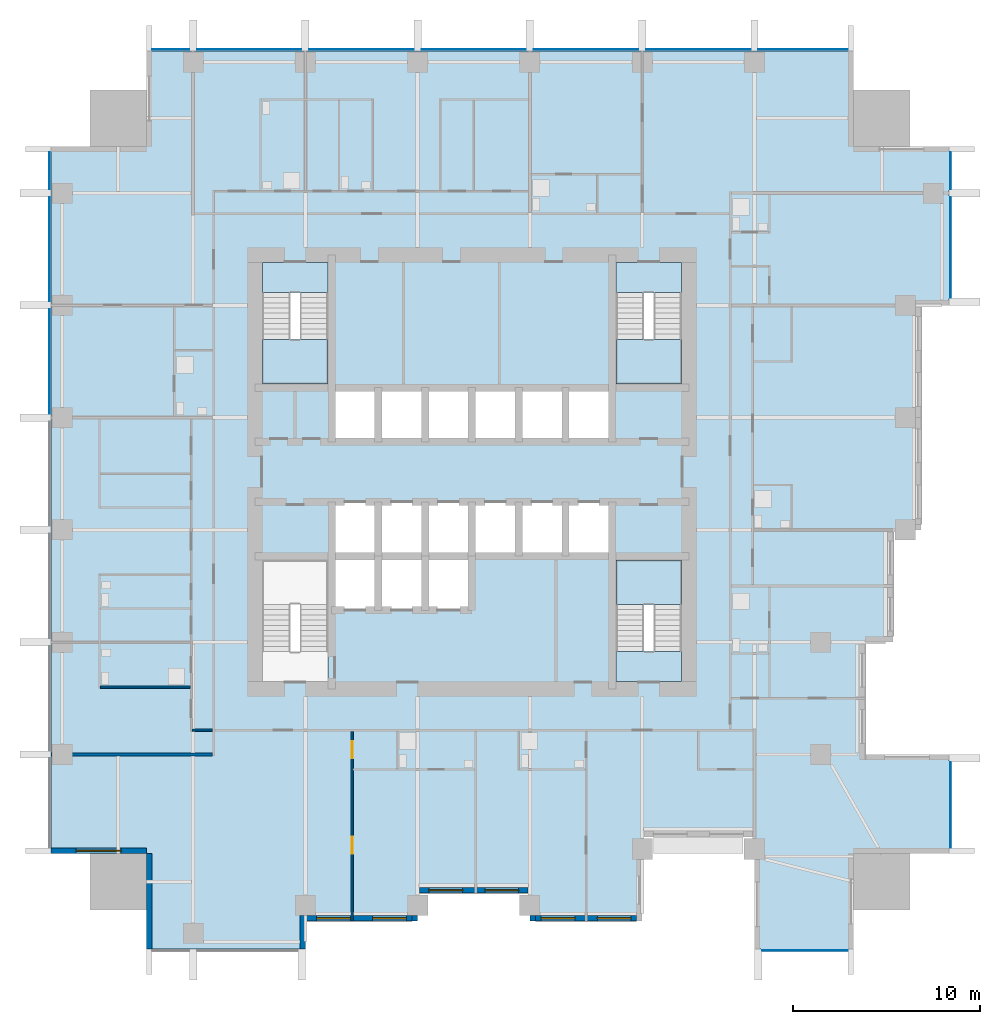
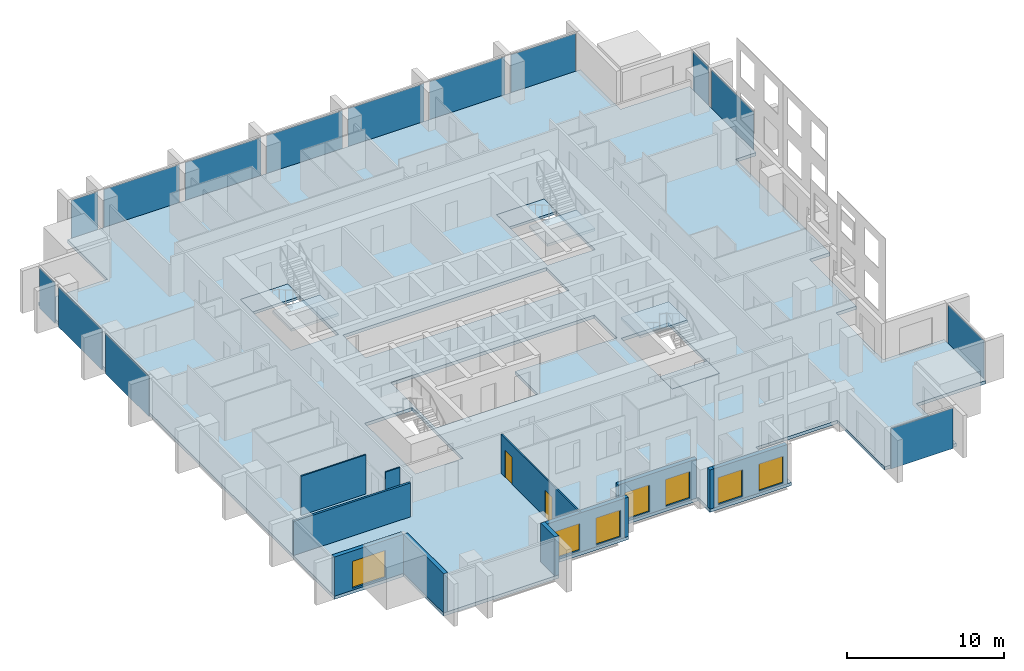
# One storey, part 3 of 11: 14 plates, 12 walls, 7 slabs, 7 windows, 2 doors, 9 openings, 8 elements without a shape of their own.
"""IFC4 building model written with IfcOpenShell, lengths in metres."""

from ifc_helpers import new_model, si_unit, direction, frame, frame_2d, origin, origin_2d, place, context, subcontext, project, spatial, polyline, rectangle, outline, extrude, material, layer, layer_set, type_object, element, fill, aggregate, save


model = new_model("IFC4")

# Units and contexts
model_context = context("Model", 3, precision=1e-05, world=origin(), true_north=direction((0.0, 1.0)))
body_context = subcontext(model_context, "Body", "Model", "MODEL_VIEW")
ifc_project = project(units=[si_unit("LENGTHUNIT", "METRE"), si_unit("AREAUNIT", "SQUARE_METRE"), si_unit("VOLUMEUNIT", "CUBIC_METRE"), si_unit("PLANEANGLEUNIT", "RADIAN"), si_unit("MASSUNIT", "GRAM", prefix="KILO")], contexts=[model_context])

# Site, building, storey
site_placement = place(None, origin())
site = spatial("IfcSite", under=ifc_project, at=site_placement, CompositionType="ELEMENT")
building_placement = place(site_placement, origin())
building = spatial("IfcBuilding", under=site, at=building_placement, Name="Amberfall Residences", CompositionType="ELEMENT")
storey_placement = place(building_placement, frame((0.0, 0.0, 115.0)))
storey = spatial("IfcBuildingStorey", under=building, at=storey_placement, Name="L31", CompositionType="ELEMENT", Elevation=115.0)

# Curtain wall, plate
ifc_material_1 = material(Name="Bronze anodised aluminium and glass", Category="aluminium")
curtain_wall_type = type_object("IfcCurtainWallType", Name="Curtain wall CW1 tower unit", PredefinedType="USERDEFINED", material=ifc_material_1)
curtain_wall_1_placement = place(storey_placement, origin())
curtain_wall_1 = element("IfcCurtainWall", 1, at=curtain_wall_1_placement, inside=storey, type_object=curtain_wall_type, Name="Curtain wall L31 S S11", ObjectType="UNITISED CURTAIN WALL", PredefinedType="USERDEFINED")
ifc_material_2 = material(Name="Tinted double glazed unit", Category="glass")
ifc_layer_1 = layer(ifc_material_2, 0.035888671875)
ifc_layer_set_1 = layer_set([ifc_layer_1], Name="CW1 panel 36 glazing")
plate_type = type_object("IfcPlateType", Name="CW1 panel 36 glazing", PredefinedType="CURTAIN_PANEL", material=ifc_layer_set_1)
plate_1_placement = place(storey_placement, frame((92.300048828125, 19.925048828125, -0.25), z_axis=(0.0, 0.0, 1.0), x_axis=(1.0, 0.0, 0.0)))
plate_1 = element("IfcPlate", 2, at=plate_1_placement, type_object=plate_type, Name="CW1 panel 1.1", PredefinedType="CURTAIN_PANEL", context=body_context, shape_type="SweptSolid", body=[
    extrude(rectangle(XDim=4.575927734375, YDim=0.035888671875, at=origin_2d()), origin(), (0.0, 0.0, 1.0), 3.14990234375),
])
aggregate(curtain_wall_1, [plate_1])

curtain_wall_2_placement = place(storey_placement, origin())
curtain_wall_2 = element("IfcCurtainWall", 3, at=curtain_wall_2_placement, inside=storey, type_object=curtain_wall_type, Name="Curtain wall L31 E E1", ObjectType="UNITISED CURTAIN WALL", PredefinedType="USERDEFINED")
plate_2_placement = place(storey_placement, frame((100.074951171875, 27.699951171875, -0.25), z_axis=(0.0, 0.0, 1.0), x_axis=(0.0, 1.0, 0.0)))
plate_2 = element("IfcPlate", 4, at=plate_2_placement, type_object=plate_type, Name="CW1 panel 1.1", PredefinedType="CURTAIN_PANEL", context=body_context, shape_type="SweptSolid", body=[
    extrude(rectangle(XDim=4.575927734375, YDim=0.035888671875, at=origin_2d()), origin(), (0.0, 0.0, 1.0), 3.14990234375),
])
aggregate(curtain_wall_2, [plate_2])

# Curtain wall, plates
curtain_wall_3_placement = place(storey_placement, origin())
curtain_wall_3 = element("IfcCurtainWall", 5, at=curtain_wall_3_placement, inside=storey, type_object=curtain_wall_type, Name="Curtain wall L31 E E10", ObjectType="UNITISED CURTAIN WALL", PredefinedType="USERDEFINED")
plate_3_placement = place(storey_placement, frame((100.074951171875, 57.5, -0.25), z_axis=(0.0, 0.0, 1.0), x_axis=(0.0, 1.0, 0.0)))
plate_3 = element("IfcPlate", 6, at=plate_3_placement, type_object=plate_type, Name="CW1 panel 1.1", PredefinedType="CURTAIN_PANEL", context=body_context, shape_type="SweptSolid", body=[
    extrude(rectangle(XDim=5.3759765625, YDim=0.035888671875, at=origin_2d()), origin(), (0.0, 0.0, 1.0), 3.14990234375),
])
plate_4_placement = place(storey_placement, frame((100.074951171875, 61.60009765625, -0.25), z_axis=(0.0, 0.0, 1.0), x_axis=(0.0, 1.0, 0.0)))
plate_4 = element("IfcPlate", 7, at=plate_4_placement, type_object=plate_type, Name="CW1 panel 2.1", PredefinedType="CURTAIN_PANEL", context=body_context, shape_type="SweptSolid", body=[
    extrude(rectangle(XDim=1.97607421875, YDim=0.035888671875, at=origin_2d()), origin(), (0.0, 0.0, 1.0), 3.14990234375),
])
aggregate(curtain_wall_3, [plate_3, plate_4])

curtain_wall_4_placement = place(storey_placement, origin())
curtain_wall_4 = element("IfcCurtainWall", 8, at=curtain_wall_4_placement, inside=storey, type_object=curtain_wall_type, Name="Curtain wall L31 N N1", ObjectType="UNITISED CURTAIN WALL", PredefinedType="USERDEFINED")
plate_5_placement = place(storey_placement, frame((92.199951171875, 68.074951171875, -0.25), z_axis=(0.0, 0.0, 1.0), x_axis=(-1.0, 0.0, 0.0)))
plate_5 = element("IfcPlate", 9, at=plate_5_placement, type_object=plate_type, Name="CW1 panel 1.1", PredefinedType="CURTAIN_PANEL", context=body_context, shape_type="SweptSolid", body=[
    extrude(rectangle(XDim=4.77587890625, YDim=0.035888671875, at=origin_2d()), origin(), (0.0, 0.0, 1.0), 3.14990234375),
])
plate_6_placement = place(storey_placement, frame((86.60009765625, 68.074951171875, -0.25), z_axis=(0.0, 0.0, 1.0), x_axis=(-1.0, 0.0, 0.0)))
plate_6 = element("IfcPlate", 10, at=plate_6_placement, type_object=plate_type, Name="CW1 panel 2.1", PredefinedType="CURTAIN_PANEL", context=body_context, shape_type="SweptSolid", body=[
    extrude(rectangle(XDim=5.575927734375, YDim=0.035888671875, at=origin_2d()), origin(), (0.0, 0.0, 1.0), 3.14990234375),
])
plate_7_placement = place(storey_placement, frame((80.60009765625, 68.074951171875, -0.25), z_axis=(0.0, 0.0, 1.0), x_axis=(-1.0, 0.0, 0.0)))
plate_7 = element("IfcPlate", 11, at=plate_7_placement, type_object=plate_type, Name="CW1 panel 3.1", PredefinedType="CURTAIN_PANEL", context=body_context, shape_type="SweptSolid", body=[
    extrude(rectangle(XDim=5.575927734375, YDim=0.035888671875, at=origin_2d()), origin(), (0.0, 0.0, 1.0), 3.14990234375),
])
plate_8_placement = place(storey_placement, frame((74.60009765625, 68.074951171875, -0.25), z_axis=(0.0, 0.0, 1.0), x_axis=(-1.0, 0.0, 0.0)))
plate_8 = element("IfcPlate", 12, at=plate_8_placement, type_object=plate_type, Name="CW1 panel 4.1", PredefinedType="CURTAIN_PANEL", context=body_context, shape_type="SweptSolid", body=[
    extrude(rectangle(XDim=5.575927734375, YDim=0.035888671875, at=origin_2d()), origin(), (0.0, 0.0, 1.0), 3.14990234375),
])
plate_9_placement = place(storey_placement, frame((68.60009765625, 68.074951171875, -0.25), z_axis=(0.0, 0.0, 1.0), x_axis=(-1.0, 0.0, 0.0)))
plate_9 = element("IfcPlate", 13, at=plate_9_placement, type_object=plate_type, Name="CW1 panel 5.1", PredefinedType="CURTAIN_PANEL", context=body_context, shape_type="SweptSolid", body=[
    extrude(rectangle(XDim=5.575927734375, YDim=0.035888671875, at=origin_2d()), origin(), (0.0, 0.0, 1.0), 3.14990234375),
])
plate_10_placement = place(storey_placement, frame((62.60009765625, 68.074951171875, -0.25), z_axis=(0.0, 0.0, 1.0), x_axis=(-1.0, 0.0, 0.0)))
plate_10 = element("IfcPlate", 14, at=plate_10_placement, type_object=plate_type, Name="CW1 panel 6.1", PredefinedType="CURTAIN_PANEL", context=body_context, shape_type="SweptSolid", body=[
    extrude(rectangle(XDim=5.575927734375, YDim=0.035888671875, at=origin_2d()), origin(), (0.0, 0.0, 1.0), 3.14990234375),
])
plate_11_placement = place(storey_placement, frame((58.39990234375, 68.074951171875, -0.25), z_axis=(0.0, 0.0, 1.0), x_axis=(-1.0, 0.0, 0.0)))
plate_11 = element("IfcPlate", 15, at=plate_11_placement, type_object=plate_type, Name="CW1 panel 7.1", PredefinedType="CURTAIN_PANEL", context=body_context, shape_type="SweptSolid", body=[
    extrude(rectangle(XDim=1.97607421875, YDim=0.035888671875, at=origin_2d()), origin(), (0.0, 0.0, 1.0), 3.14990234375),
])
aggregate(curtain_wall_4, [plate_5, plate_6, plate_7, plate_8, plate_9, plate_10, plate_11])

curtain_wall_5_placement = place(storey_placement, origin())
curtain_wall_5 = element("IfcCurtainWall", 16, at=curtain_wall_5_placement, inside=storey, type_object=curtain_wall_type, Name="Curtain wall L31 W W1", ObjectType="UNITISED CURTAIN WALL", PredefinedType="USERDEFINED")
plate_12_placement = place(storey_placement, frame((51.925048828125, 61.60009765625, -0.25), z_axis=(0.0, 0.0, 1.0), x_axis=(0.0, -1.0, 0.0)))
plate_12 = element("IfcPlate", 17, at=plate_12_placement, type_object=plate_type, Name="CW1 panel 1.1", PredefinedType="CURTAIN_PANEL", context=body_context, shape_type="SweptSolid", body=[
    extrude(rectangle(XDim=1.97607421875, YDim=0.035888671875, at=origin_2d()), origin(), (0.0, 0.0, 1.0), 3.14990234375),
])
plate_13_placement = place(storey_placement, frame((51.925048828125, 57.39990234375, -0.25), z_axis=(0.0, 0.0, 1.0), x_axis=(0.0, -1.0, 0.0)))
plate_13 = element("IfcPlate", 18, at=plate_13_placement, type_object=plate_type, Name="CW1 panel 2.1", PredefinedType="CURTAIN_PANEL", context=body_context, shape_type="SweptSolid", body=[
    extrude(rectangle(XDim=5.575927734375, YDim=0.035888671875, at=origin_2d()), origin(), (0.0, 0.0, 1.0), 3.14990234375),
])
plate_14_placement = place(storey_placement, frame((51.925048828125, 51.39990234375, -0.25), z_axis=(0.0, 0.0, 1.0), x_axis=(0.0, -1.0, 0.0)))
plate_14 = element("IfcPlate", 19, at=plate_14_placement, type_object=plate_type, Name="CW1 panel 3.1", PredefinedType="CURTAIN_PANEL", context=body_context, shape_type="SweptSolid", body=[
    extrude(rectangle(XDim=5.575927734375, YDim=0.035888671875, at=origin_2d()), origin(), (0.0, 0.0, 1.0), 3.14990234375),
])
aggregate(curtain_wall_5, [plate_12, plate_13, plate_14])

# Slab
ifc_material_3 = material(Name="Concrete C70", Category="concrete")
ifc_layer_2 = layer(ifc_material_3, 0.25)
ifc_layer_set_2 = layer_set([ifc_layer_2], Name="Floor slab 250 C70")
slab_type_1 = type_object("IfcSlabType", Name="Floor slab 250 C70", PredefinedType="FLOOR", material=ifc_layer_set_2)
slab_1_placement = place(storey_placement, frame((0.0, 0.0, -0.25)))
element("IfcSlab", 20, at=slab_1_placement, inside=storey, type_object=slab_type_1, Name="Floor slab S7 L31", PredefinedType="FLOOR", context=body_context, shape_type="SweptSolid", body=[
    extrude(outline(polyline([(89.60009765625, 20.0), (89.60009765625, 26.0), (83.60009765625, 26.0), (83.60009765625, 21.5), (77.60009765625, 21.5), (77.60009765625, 23.0), (71.60009765625, 23.0), (71.60009765625, 21.5), (65.60009765625, 21.5), (65.60009765625, 20.0), (57.10009765625, 20.0), (57.10009765625, 25.10009765625), (52.0, 25.10009765625), (52.0, 62.89990234375), (57.10009765625, 62.89990234375), (57.10009765625, 68.0), (94.89990234375, 68.0), (94.89990234375, 62.89990234375), (100.0, 62.89990234375), (100.0, 54.39990234375), (98.5, 54.39990234375), (98.5, 48.39990234375), (98.5, 42.39990234375), (97.0, 42.39990234375), (97.0, 36.39990234375), (95.5, 36.39990234375), (95.5, 30.39990234375), (100.0, 30.39990234375), (100.0, 25.10009765625), (94.89990234375, 25.10009765625), (94.89990234375, 20.0), (89.60009765625, 20.0)]), holes=[polyline([(85.699951171875, 34.300048828125), (85.699951171875, 40.800048828125), (82.199951171875, 40.800048828125), (82.199951171875, 34.300048828125), (85.699951171875, 34.300048828125)]), polyline([(82.199951171875, 50.199951171875), (85.699951171875, 50.199951171875), (85.699951171875, 56.699951171875), (82.199951171875, 56.699951171875), (82.199951171875, 50.199951171875)]), polyline([(69.5, 50.0), (67.0, 50.0), (67.0, 47.10009765625), (69.5, 47.10009765625), (72.0, 47.10009765625), (74.5, 47.10009765625), (77.0, 47.10009765625), (79.5, 47.10009765625), (82.0, 47.10009765625), (82.0, 50.0), (79.5, 50.0), (77.0, 50.0), (74.5, 50.0), (72.0, 50.0), (69.5, 50.0)]), polyline([(74.5, 41.0), (77.0, 41.0), (79.5, 41.0), (82.0, 41.0), (82.0, 43.89990234375), (79.5, 43.89990234375), (77.0, 43.89990234375), (74.5, 43.89990234375), (72.0, 43.89990234375), (69.5, 43.89990234375), (67.0, 43.89990234375), (67.0, 41.0), (67.0, 38.10009765625), (69.5, 38.10009765625), (72.0, 38.10009765625), (74.5, 38.10009765625), (74.5, 41.0)]), polyline([(66.800048828125, 34.300048828125), (66.800048828125, 40.800048828125), (63.300048828125, 40.800048828125), (63.300048828125, 34.300048828125), (66.800048828125, 34.300048828125)]), polyline([(66.800048828125, 50.199951171875), (66.800048828125, 56.699951171875), (63.300048828125, 56.699951171875), (63.300048828125, 50.199951171875), (66.800048828125, 50.199951171875)])]), origin(), (0.0, 0.0, 1.0), 0.25),
])

# Stair, slabs
ifc_material_4 = material(Name="Concrete C40", Category="concrete")
stair_type = type_object("IfcStairType", Name="Exit stair 20 risers 165.0 mm", PredefinedType="HALF_TURN_STAIR", material=ifc_material_4)
stair_1_placement = place(storey_placement, origin())
stair_1 = element("IfcStair", 21, at=stair_1_placement, inside=storey, type_object=stair_type, Name="L31 Exit stair 2", PredefinedType="HALF_TURN_STAIR")
ifc_layer_3 = layer(ifc_material_4, 0.199951171875)
ifc_layer_set_3 = layer_set([ifc_layer_3], Name="Stair landing 200")
slab_type_2 = type_object("IfcSlabType", Name="Stair landing 200", PredefinedType="LANDING", material=ifc_layer_set_3)
slab_2_placement = place(storey_placement, frame((0.0, 0.0, 1.449951171875)))
slab_2 = element("IfcSlab", 22, at=slab_2_placement, type_object=slab_type_2, Name="ST3 landing 1", PredefinedType="LANDING", context=body_context, shape_type="SweptSolid", body=[
    extrude(outline(polyline([(85.699951171875, 38.419921875), (85.699951171875, 40.800048828125), (82.199951171875, 40.800048828125), (82.199951171875, 38.419921875), (85.699951171875, 38.419921875)])), origin(), (0.0, 0.0, 1.0), 0.199951171875),
])
slab_3_placement = place(storey_placement, frame((0.0, 0.0, -0.199951171875)))
slab_3 = element("IfcSlab", 23, at=slab_3_placement, type_object=slab_type_2, Name="ST3 landing 2", PredefinedType="LANDING", context=body_context, shape_type="SweptSolid", body=[
    extrude(outline(polyline([(85.699951171875, 34.300048828125), (85.699951171875, 35.89990234375), (82.199951171875, 35.89990234375), (82.199951171875, 34.300048828125), (85.699951171875, 34.300048828125)])), origin(), (0.0, 0.0, 1.0), 0.199951171875),
])
aggregate(stair_1, [slab_2, slab_3])

stair_2_placement = place(storey_placement, origin())
stair_2 = element("IfcStair", 24, at=stair_2_placement, inside=storey, type_object=stair_type, Name="L31 Exit stair 3", PredefinedType="HALF_TURN_STAIR")
slab_4_placement = place(storey_placement, frame((0.0, 0.0, 1.449951171875)))
slab_4 = element("IfcSlab", 25, at=slab_4_placement, type_object=slab_type_2, Name="ST3 landing 1", PredefinedType="LANDING", context=body_context, shape_type="SweptSolid", body=[
    extrude(outline(polyline([(82.199951171875, 52.580078125), (82.199951171875, 50.199951171875), (85.699951171875, 50.199951171875), (85.699951171875, 52.580078125), (82.199951171875, 52.580078125)])), origin(), (0.0, 0.0, 1.0), 0.199951171875),
])
slab_5_placement = place(storey_placement, frame((0.0, 0.0, -0.199951171875)))
slab_5 = element("IfcSlab", 26, at=slab_5_placement, type_object=slab_type_2, Name="ST3 landing 2", PredefinedType="LANDING", context=body_context, shape_type="SweptSolid", body=[
    extrude(outline(polyline([(82.199951171875, 56.699951171875), (82.199951171875, 55.10009765625), (85.699951171875, 55.10009765625), (85.699951171875, 56.699951171875), (82.199951171875, 56.699951171875)])), origin(), (0.0, 0.0, 1.0), 0.199951171875),
])
aggregate(stair_2, [slab_4, slab_5])

stair_3_placement = place(storey_placement, origin())
stair_3 = element("IfcStair", 27, at=stair_3_placement, inside=storey, type_object=stair_type, Name="L31 Exit stair 4", PredefinedType="HALF_TURN_STAIR")
slab_6_placement = place(storey_placement, frame((0.0, 0.0, 1.449951171875)))
slab_6 = element("IfcSlab", 28, at=slab_6_placement, type_object=slab_type_2, Name="ST3 landing 1", PredefinedType="LANDING", context=body_context, shape_type="SweptSolid", body=[
    extrude(outline(polyline([(63.300048828125, 52.580078125), (63.300048828125, 50.199951171875), (66.800048828125, 50.199951171875), (66.800048828125, 52.580078125), (63.300048828125, 52.580078125)])), origin(), (0.0, 0.0, 1.0), 0.199951171875),
])
slab_7_placement = place(storey_placement, frame((0.0, 0.0, -0.199951171875)))
slab_7 = element("IfcSlab", 29, at=slab_7_placement, type_object=slab_type_2, Name="ST3 landing 2", PredefinedType="LANDING", context=body_context, shape_type="SweptSolid", body=[
    extrude(outline(polyline([(63.300048828125, 56.699951171875), (63.300048828125, 55.10009765625), (66.800048828125, 55.10009765625), (66.800048828125, 56.699951171875), (63.300048828125, 56.699951171875)])), origin(), (0.0, 0.0, 1.0), 0.199951171875),
])
aggregate(stair_3, [slab_6, slab_7])

# Walls
ifc_material_5 = material(Name="Pale stone cladding on insulated backing", Category="masonry")
ifc_layer_4 = layer(ifc_material_5, 0.300048828125)
ifc_layer_set_4 = layer_set([ifc_layer_4], Name="Bronze clad wall 300")
wall_type_1 = type_object("IfcWallType", Name="Bronze clad wall 300", PredefinedType="SOLIDWALL", material=ifc_layer_set_4)
wall_1_placement = place(storey_placement, frame((65.449951171875, 20.0, 0.0), z_axis=(0.0, 0.0, 1.0), x_axis=(0.0, 1.0, 0.0)))
element("IfcWall", 30, at=wall_1_placement, inside=storey, type_object=wall_type_1, Name="External wall L31 S", PredefinedType="SOLIDWALL", context=body_context, shape_type="SweptSolid", body=[
    extrude(rectangle(XDim=1.800048828125, YDim=0.300048828125, at=frame_2d((0.89990234375, 0.0))), origin(), (0.0, 0.0, 1.0), 3.050048828125),
])
for number, where, z_axis, x_axis, name in (
    (31, (71.449951171875, 21.5, 0.0), (0.0, 0.0, 1.0), (0.0, 1.0, 0.0), "External wall L31 S"),
    (32, (77.75, 21.800048828125, 0.0), (0.0, 0.0, 1.0), (0.0, -1.0, 0.0), "External wall L31 S"),
):
    element("IfcWall", number, at=place(storey_placement, frame(where, z_axis=z_axis, x_axis=x_axis)), inside=storey, type_object=wall_type_1, Name=name, PredefinedType="SOLIDWALL", context=body_context, shape_type="SweptSolid", body=[
        extrude(rectangle(XDim=0.300048828125, YDim=0.300048828125, at=frame_2d((0.14990234375, 0.0))), origin(), (0.0, 0.0, 1.0), 3.050048828125),
    ])

# Wall, opening, window
wall_2_placement = place(storey_placement, frame((52.0, 25.25, 0.0), z_axis=(0.0, 0.0, 1.0), x_axis=(1.0, 0.0, 0.0)))
wall_2 = element("IfcWall", 33, at=wall_2_placement, inside=storey, type_object=wall_type_1, Name="External wall L31 SW", PredefinedType="SOLIDWALL", context=body_context, shape_type="SweptSolid", body=[
    extrude(rectangle(XDim=5.10009765625, YDim=0.300048828125, at=frame_2d((2.550048828125, 0.0))), origin(), (0.0, 0.0, 1.0), 3.050048828125),
])
opening_1_placement = place(wall_2_placement, frame((1.35009765625, 0.0, 0.14990234375)))
opening_1 = element("IfcOpeningElement", 34, at=opening_1_placement, cuts=wall_2, Name="Opening WN5", PredefinedType="OPENING", context=body_context, shape_type="SweptSolid", body=[
    extrude(rectangle(XDim=2.39990234375, YDim=2.10009765625, at=frame_2d((1.199951171875, 1.050048828125))), frame((0.0, 0.159912109375, 0.0), z_axis=(0.0, -1.0, 0.0), x_axis=(1.0, 0.0, 0.0)), (0.0, 0.0, 1.0), 0.320068359375),
])
ifc_material_6 = material(Name="Bronze aluminium framed glazing", Category="aluminium")
window_type_1 = type_object("IfcWindowType", Name="Glazed opening 2400 x 2100 bronze", PartitioningType="DOUBLE_PANEL_VERTICAL", PredefinedType="WINDOW", material=ifc_material_6)
window_1_placement = place(opening_1_placement, origin())
window_1 = element("IfcWindow", 35, at=window_1_placement, inside=storey, type_object=window_type_1, Name="Window L31 SW", OverallHeight=2.10009765625, OverallWidth=2.39990234375, PartitioningType="DOUBLE_PANEL_VERTICAL", PredefinedType="WINDOW", context=body_context, shape_type="SweptSolid", body=[
    extrude(rectangle(XDim=2.39990234375, YDim=2.10009765625, at=frame_2d((1.199951171875, 1.050048828125))), frame((0.0, 0.030029296875, 0.0), z_axis=(0.0, -1.0, 0.0), x_axis=(1.0, 0.0, 0.0)), (0.0, 0.0, 1.0), 0.06005859375),
])
fill(opening_1, window_1)

# Wall
wall_3_placement = place(storey_placement, frame((57.25, 25.10009765625, 0.0), z_axis=(0.0, 0.0, 1.0), x_axis=(0.0, -1.0, 0.0)))
element("IfcWall", 36, at=wall_3_placement, inside=storey, type_object=wall_type_1, Name="External wall L31 SW", PredefinedType="SOLIDWALL", context=body_context, shape_type="SweptSolid", body=[
    extrude(rectangle(XDim=5.10009765625, YDim=0.300048828125, at=frame_2d((2.550048828125, 0.0))), origin(), (0.0, 0.0, 1.0), 3.050048828125),
])

# Wall, openings, windows
wall_4_placement = place(storey_placement, frame((65.60009765625, 21.64990234375, 0.0), z_axis=(0.0, 0.0, 1.0), x_axis=(1.0, 0.0, 0.0)))
wall_4 = element("IfcWall", 37, at=wall_4_placement, inside=storey, type_object=wall_type_1, Name="Stone wall L31 S", PredefinedType="SOLIDWALL", context=body_context, shape_type="SweptSolid", body=[
    extrude(rectangle(XDim=5.699951171875, YDim=0.300048828125, at=frame_2d((2.85009765625, 0.0))), origin(), (0.0, 0.0, 1.0), 3.050048828125),
])
opening_2_placement = place(wall_4_placement, frame((0.60009765625, 0.0, 0.14990234375)))
opening_2 = element("IfcOpeningElement", 38, at=opening_2_placement, cuts=wall_4, Name="Opening WN6", PredefinedType="OPENING", context=body_context, shape_type="SweptSolid", body=[
    extrude(rectangle(XDim=1.800048828125, YDim=2.10009765625, at=frame_2d((0.89990234375, 1.050048828125))), frame((0.0, 0.159912109375, 0.0), z_axis=(0.0, -1.0, 0.0), x_axis=(1.0, 0.0, 0.0)), (0.0, 0.0, 1.0), 0.320068359375),
])
opening_3_placement = place(wall_4_placement, frame((3.60009765625, 0.0, 0.14990234375)))
opening_3 = element("IfcOpeningElement", 39, at=opening_3_placement, cuts=wall_4, Name="Opening WN6", PredefinedType="OPENING", context=body_context, shape_type="SweptSolid", body=[
    extrude(rectangle(XDim=1.800048828125, YDim=2.10009765625, at=frame_2d((0.89990234375, 1.050048828125))), frame((0.0, 0.159912109375, 0.0), z_axis=(0.0, -1.0, 0.0), x_axis=(1.0, 0.0, 0.0)), (0.0, 0.0, 1.0), 0.320068359375),
])
window_type_2 = type_object("IfcWindowType", Name="Glazed opening 1800 x 2100 bronze", PartitioningType="DOUBLE_PANEL_VERTICAL", PredefinedType="WINDOW", material=ifc_material_6)
window_2_placement = place(opening_2_placement, origin())
window_2 = element("IfcWindow", 40, at=window_2_placement, inside=storey, type_object=window_type_2, Name="Window L31 S", OverallHeight=2.10009765625, OverallWidth=1.800048828125, PartitioningType="DOUBLE_PANEL_VERTICAL", PredefinedType="WINDOW", context=body_context, shape_type="SweptSolid", body=[
    extrude(rectangle(XDim=1.800048828125, YDim=2.10009765625, at=frame_2d((0.89990234375, 1.050048828125))), frame((0.0, 0.030029296875, 0.0), z_axis=(0.0, -1.0, 0.0), x_axis=(1.0, 0.0, 0.0)), (0.0, 0.0, 1.0), 0.06005859375),
])
fill(opening_2, window_2)
window_3_placement = place(opening_3_placement, origin())
window_3 = element("IfcWindow", 41, at=window_3_placement, inside=storey, type_object=window_type_2, Name="Window L31 S", OverallHeight=2.10009765625, OverallWidth=1.800048828125, PartitioningType="DOUBLE_PANEL_VERTICAL", PredefinedType="WINDOW", context=body_context, shape_type="SweptSolid", body=[
    extrude(rectangle(XDim=1.800048828125, YDim=2.10009765625, at=frame_2d((0.89990234375, 1.050048828125))), frame((0.0, 0.030029296875, 0.0), z_axis=(0.0, -1.0, 0.0), x_axis=(1.0, 0.0, 0.0)), (0.0, 0.0, 1.0), 0.06005859375),
])
fill(opening_3, window_3)

wall_5_placement = place(storey_placement, frame((71.7099609375, 23.14990234375, 0.0), z_axis=(0.0, 0.0, 1.0), x_axis=(1.0, 0.0, 0.0)))
wall_5 = element("IfcWall", 42, at=wall_5_placement, inside=storey, type_object=wall_type_1, Name="Stone wall L31 S", PredefinedType="SOLIDWALL", context=body_context, shape_type="SweptSolid", body=[
    extrude(rectangle(XDim=5.780029296875, YDim=0.300048828125, at=frame_2d((2.89013671875, 0.0))), origin(), (0.0, 0.0, 1.0), 3.050048828125),
])
opening_4_placement = place(wall_5_placement, frame((0.489990234375, 0.0, 0.14990234375)))
opening_4 = element("IfcOpeningElement", 43, at=opening_4_placement, cuts=wall_5, Name="Opening WN6", PredefinedType="OPENING", context=body_context, shape_type="SweptSolid", body=[
    extrude(rectangle(XDim=1.800048828125, YDim=2.10009765625, at=frame_2d((0.89990234375, 1.050048828125))), frame((0.0, 0.159912109375, 0.0), z_axis=(0.0, -1.0, 0.0), x_axis=(1.0, 0.0, 0.0)), (0.0, 0.0, 1.0), 0.320068359375),
])
opening_5_placement = place(wall_5_placement, frame((3.489990234375, 0.0, 0.14990234375)))
opening_5 = element("IfcOpeningElement", 44, at=opening_5_placement, cuts=wall_5, Name="Opening WN6", PredefinedType="OPENING", context=body_context, shape_type="SweptSolid", body=[
    extrude(rectangle(XDim=1.800048828125, YDim=2.10009765625, at=frame_2d((0.89990234375, 1.050048828125))), frame((0.0, 0.159912109375, 0.0), z_axis=(0.0, -1.0, 0.0), x_axis=(1.0, 0.0, 0.0)), (0.0, 0.0, 1.0), 0.320068359375),
])
window_4_placement = place(opening_4_placement, origin())
window_4 = element("IfcWindow", 45, at=window_4_placement, inside=storey, type_object=window_type_2, Name="Window L31 S", OverallHeight=2.10009765625, OverallWidth=1.800048828125, PartitioningType="DOUBLE_PANEL_VERTICAL", PredefinedType="WINDOW", context=body_context, shape_type="SweptSolid", body=[
    extrude(rectangle(XDim=1.800048828125, YDim=2.10009765625, at=frame_2d((0.89990234375, 1.050048828125))), frame((0.0, 0.030029296875, 0.0), z_axis=(0.0, -1.0, 0.0), x_axis=(1.0, 0.0, 0.0)), (0.0, 0.0, 1.0), 0.06005859375),
])
fill(opening_4, window_4)
window_5_placement = place(opening_5_placement, origin())
window_5 = element("IfcWindow", 46, at=window_5_placement, inside=storey, type_object=window_type_2, Name="Window L31 S", OverallHeight=2.10009765625, OverallWidth=1.800048828125, PartitioningType="DOUBLE_PANEL_VERTICAL", PredefinedType="WINDOW", context=body_context, shape_type="SweptSolid", body=[
    extrude(rectangle(XDim=1.800048828125, YDim=2.10009765625, at=frame_2d((0.89990234375, 1.050048828125))), frame((0.0, 0.030029296875, 0.0), z_axis=(0.0, -1.0, 0.0), x_axis=(1.0, 0.0, 0.0)), (0.0, 0.0, 1.0), 0.06005859375),
])
fill(opening_5, window_5)

wall_6_placement = place(storey_placement, frame((77.89990234375, 21.64990234375, 0.0), z_axis=(0.0, 0.0, 1.0), x_axis=(1.0, 0.0, 0.0)))
wall_6 = element("IfcWall", 47, at=wall_6_placement, inside=storey, type_object=wall_type_1, Name="Stone wall L31 S", PredefinedType="SOLIDWALL", context=body_context, shape_type="SweptSolid", body=[
    extrude(rectangle(XDim=5.400146484375, YDim=0.300048828125, at=frame_2d((2.7001953125, 0.0))), origin(), (0.0, 0.0, 1.0), 3.050048828125),
])
opening_6_placement = place(wall_6_placement, frame((0.300048828125, 0.0, 0.14990234375)))
opening_6 = element("IfcOpeningElement", 48, at=opening_6_placement, cuts=wall_6, Name="Opening WN6", PredefinedType="OPENING", context=body_context, shape_type="SweptSolid", body=[
    extrude(rectangle(XDim=1.800048828125, YDim=2.10009765625, at=frame_2d((0.89990234375, 1.050048828125))), frame((0.0, 0.159912109375, 0.0), z_axis=(0.0, -1.0, 0.0), x_axis=(1.0, 0.0, 0.0)), (0.0, 0.0, 1.0), 0.320068359375),
])
opening_7_placement = place(wall_6_placement, frame((3.300048828125, 0.0, 0.14990234375)))
opening_7 = element("IfcOpeningElement", 49, at=opening_7_placement, cuts=wall_6, Name="Opening WN6", PredefinedType="OPENING", context=body_context, shape_type="SweptSolid", body=[
    extrude(rectangle(XDim=1.800048828125, YDim=2.10009765625, at=frame_2d((0.89990234375, 1.050048828125))), frame((0.0, 0.159912109375, 0.0), z_axis=(0.0, -1.0, 0.0), x_axis=(1.0, 0.0, 0.0)), (0.0, 0.0, 1.0), 0.320068359375),
])
window_6_placement = place(opening_6_placement, origin())
window_6 = element("IfcWindow", 50, at=window_6_placement, inside=storey, type_object=window_type_2, Name="Window L31 S", OverallHeight=2.10009765625, OverallWidth=1.800048828125, PartitioningType="DOUBLE_PANEL_VERTICAL", PredefinedType="WINDOW", context=body_context, shape_type="SweptSolid", body=[
    extrude(rectangle(XDim=1.800048828125, YDim=2.10009765625, at=frame_2d((0.89990234375, 1.050048828125))), frame((0.0, 0.030029296875, 0.0), z_axis=(0.0, -1.0, 0.0), x_axis=(1.0, 0.0, 0.0)), (0.0, 0.0, 1.0), 0.06005859375),
])
fill(opening_6, window_6)
window_7_placement = place(opening_7_placement, origin())
window_7 = element("IfcWindow", 51, at=window_7_placement, inside=storey, type_object=window_type_2, Name="Window L31 S", OverallHeight=2.10009765625, OverallWidth=1.800048828125, PartitioningType="DOUBLE_PANEL_VERTICAL", PredefinedType="WINDOW", context=body_context, shape_type="SweptSolid", body=[
    extrude(rectangle(XDim=1.800048828125, YDim=2.10009765625, at=frame_2d((0.89990234375, 1.050048828125))), frame((0.0, 0.030029296875, 0.0), z_axis=(0.0, -1.0, 0.0), x_axis=(1.0, 0.0, 0.0)), (0.0, 0.0, 1.0), 0.06005859375),
])
fill(opening_7, window_7)

# Wall, openings, doors
ifc_material_7 = material(Name="Gypsum board on metal stud")
ifc_layer_5 = layer(ifc_material_7, 0.10009765625)
ifc_layer_set_5 = layer_set([ifc_layer_5], Name="Flat partition 100")
wall_type_2 = type_object("IfcWallType", Name="Flat partition 100", PredefinedType="PARTITIONING", material=ifc_layer_set_5)
wall_7_placement = place(storey_placement, frame((68.10009765625, 31.625, 0.0), z_axis=(0.0, 0.0, 1.0), x_axis=(0.0, -1.0, 0.0)))
wall_7 = element("IfcWall", 52, at=wall_7_placement, inside=storey, type_object=wall_type_2, Name="Partition 009", PredefinedType="PARTITIONING", context=body_context, shape_type="SweptSolid", body=[
    extrude(rectangle(XDim=10.125, YDim=0.10009765625, at=frame_2d((5.0625, 0.0))), origin(), (0.0, 0.0, 1.0), 3.050048828125),
])
opening_8_placement = place(wall_7_placement, frame((0.52490234375, 0.0, 0.0)))
opening_8 = element("IfcOpeningElement", 53, at=opening_8_placement, cuts=wall_7, Name="Opening D41", PredefinedType="OPENING", context=body_context, shape_type="SweptSolid", body=[
    extrude(rectangle(XDim=0.89990234375, YDim=2.10009765625, at=frame_2d((0.449951171875, 1.050048828125))), frame((0.0, 0.06005859375, 0.0), z_axis=(0.0, -1.0, 0.0), x_axis=(1.0, 0.0, 0.0)), (0.0, 0.0, 1.0), 0.1201171875),
])
opening_9_placement = place(wall_7_placement, frame((5.625, 0.0, 0.0)))
opening_9 = element("IfcOpeningElement", 54, at=opening_9_placement, cuts=wall_7, Name="Opening D41", PredefinedType="OPENING", context=body_context, shape_type="SweptSolid", body=[
    extrude(rectangle(XDim=0.89990234375, YDim=2.10009765625, at=frame_2d((0.449951171875, 1.050048828125))), frame((0.0, 0.06005859375, 0.0), z_axis=(0.0, -1.0, 0.0), x_axis=(1.0, 0.0, 0.0)), (0.0, 0.0, 1.0), 0.1201171875),
])
ifc_material_8 = material(Name="Timber", Category="wood")
door_type = type_object("IfcDoorType", Name="Internal door 900 x 2100", OperationType="SINGLE_SWING_LEFT", PredefinedType="DOOR", material=ifc_material_8)
door_1_placement = place(opening_8_placement, origin())
door_1 = element("IfcDoor", 55, at=door_1_placement, inside=storey, type_object=door_type, Name="Door 3101 kitchen", OperationType="SINGLE_SWING_LEFT", OverallHeight=2.10009765625, OverallWidth=0.89990234375, PredefinedType="DOOR", context=body_context, shape_type="SweptSolid", body=[
    extrude(rectangle(XDim=0.89990234375, YDim=2.10009765625, at=frame_2d((0.449951171875, 1.050048828125))), frame((0.0, 0.02490234375, 0.0), z_axis=(0.0, -1.0, 0.0), x_axis=(1.0, 0.0, 0.0)), (0.0, 0.0, 1.0), 0.050048828125),
])
fill(opening_8, door_1)
door_2_placement = place(opening_9_placement, origin())
door_2 = element("IfcDoor", 56, at=door_2_placement, inside=storey, type_object=door_type, Name="Door 3101 bedroom1", OperationType="SINGLE_SWING_LEFT", OverallHeight=2.10009765625, OverallWidth=0.89990234375, PredefinedType="DOOR", context=body_context, shape_type="SweptSolid", body=[
    extrude(rectangle(XDim=0.89990234375, YDim=2.10009765625, at=frame_2d((0.449951171875, 1.050048828125))), frame((0.0, 0.02490234375, 0.0), z_axis=(0.0, -1.0, 0.0), x_axis=(1.0, 0.0, 0.0)), (0.0, 0.0, 1.0), 0.050048828125),
])
fill(opening_9, door_2)

# Walls
wall_8_placement = place(storey_placement, frame((54.64990234375, 34.0, 0.0), z_axis=(0.0, 0.0, 1.0), x_axis=(1.0, 0.0, 0.0)))
element("IfcWall", 57, at=wall_8_placement, inside=storey, type_object=wall_type_2, Name="Partition 042", PredefinedType="PARTITIONING", context=body_context, shape_type="SweptSolid", body=[
    extrude(rectangle(XDim=4.800048828125, YDim=0.10009765625, at=frame_2d((2.39990234375, 0.0))), origin(), (0.0, 0.0, 1.0), 3.050048828125),
])
wall_9_placement = place(storey_placement, frame((59.550048828125, 31.699951171875, 0.0), z_axis=(0.0, 0.0, 1.0), x_axis=(1.0, 0.0, 0.0)))
element("IfcWall", 58, at=wall_9_placement, inside=storey, type_object=wall_type_2, Name="Partition 044", PredefinedType="PARTITIONING", context=body_context, shape_type="SweptSolid", body=[
    extrude(rectangle(XDim=1.074951171875, YDim=0.10009765625, at=frame_2d((0.53759765625, 0.0))), origin(), (0.0, 0.0, 1.0), 3.050048828125),
])
ifc_material_9 = material(Name="Blockwork, plastered", Category="masonry")
ifc_layer_6 = layer(ifc_material_9, 0.14990234375)
ifc_layer_set_6 = layer_set([ifc_layer_6], Name="Flat separating wall 150")
wall_type_3 = type_object("IfcWallType", Name="Flat separating wall 150", PredefinedType="PARTITIONING", material=ifc_layer_set_6)
wall_10_placement = place(storey_placement, frame((52.0, 30.39990234375, 0.0), z_axis=(0.0, 0.0, 1.0), x_axis=(1.0, 0.0, 0.0)))
element("IfcWall", 59, at=wall_10_placement, inside=storey, type_object=wall_type_3, Name="Separating wall 060", PredefinedType="PARTITIONING", context=body_context, shape_type="SweptSolid", body=[
    extrude(rectangle(XDim=8.625, YDim=0.14990234375, at=frame_2d((4.3125, 0.0))), origin(), (0.0, 0.0, 1.0), 2.64697265625),
])

save(model, "model.ifc")
